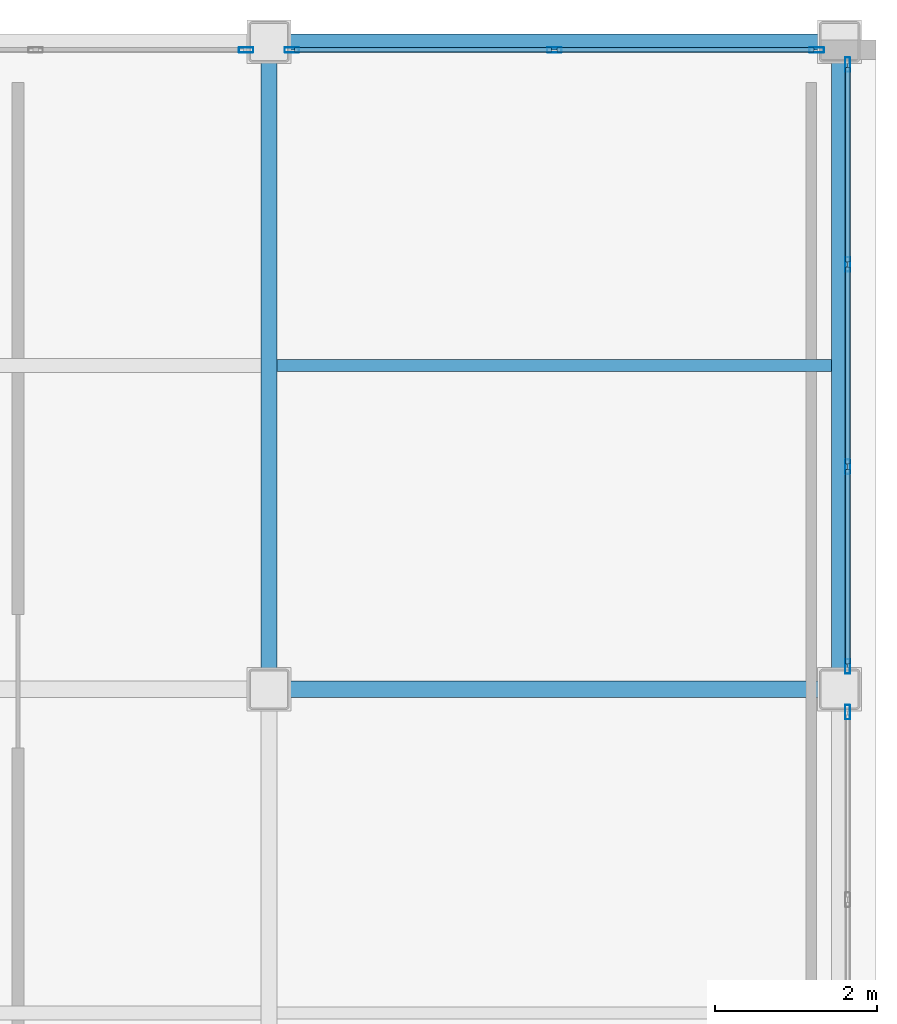
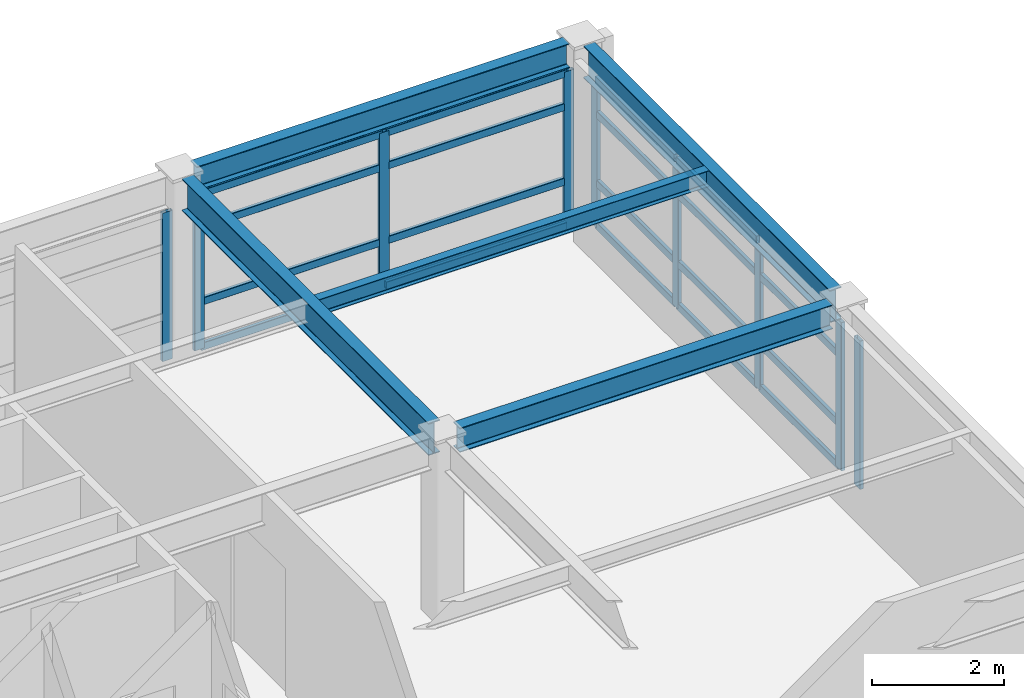
# One storey, part 20 of 33: 29 members, 5 beams, 4 elements without a shape of their own.
"""IFC4 building model written with IfcOpenShell, lengths in metres."""

import ifcopenshell
import ifcopenshell.guid

model = None  # the IFC model being written
_history = None  # IfcOwnerHistory: only IFC2X3 demands one
_inside = {}  # id of a spatial element -> (the spatial element, [elements in it])
_under = {}  # id of a project, library or spatial element -> (it, [spatial elements below it])
_declared = {}  # id of a project -> (the project, [libraries it declares])
_typed = {}  # id of a type object -> (the type object, [elements of that type])
_made_of = {}  # id of a material, layer set ... -> (it, [elements and type objects made of it])


def new_model(schema):
    """Start an empty IFC model of exactly this schema.

    Asked for "IFC4X3", IfcOpenShell would pick the latest addendum, in which some entities
    have other attributes; the version numbers below select the first issue.
    IFC2X3 requires an IfcOwnerHistory on every rooted entity: one is made here for all.
    """
    global model, _history
    if schema == "IFC4X3":
        model = ifcopenshell.file(schema_version=(4, 3, 0, 0))
    else:
        model = ifcopenshell.file(schema=schema)
    _inside.clear()
    _under.clear()
    _declared.clear()
    _typed.clear()
    _made_of.clear()
    _history = None
    if model.schema == "IFC2X3":
        org = make("IfcOrganization", Name="unknown")
        user = make(
            "IfcPersonAndOrganization",
            ThePerson=make("IfcPerson", FamilyName="unknown"),
            TheOrganization=org,
        )
        app = make(
            "IfcApplication",
            ApplicationDeveloper=org,
            Version="unknown",
            ApplicationFullName="unknown",
            ApplicationIdentifier="unknown",
        )
        _history = make(
            "IfcOwnerHistory",
            OwningUser=user,
            OwningApplication=app,
            ChangeAction="ADDED",
            CreationDate=0,
        )
    return model


def make(cls, **values):
    """One entity of the class cls with the attributes given. An attribute that is None is left unset."""
    return model.create_entity(
        cls, **{name: value for name, value in values.items() if value is not None}
    )


def rooted(cls, **values):
    """An entity with a GlobalId (a new one), such as an element, a storey or a relation."""
    return make(cls, GlobalId=ifcopenshell.guid.new(), OwnerHistory=_history, **values)


def si_unit(unit_type, name, prefix=None):
    """IfcSIUnit, for example si_unit("LENGTHUNIT", "METRE", prefix="MILLI")."""
    return make("IfcSIUnit", UnitType=unit_type, Prefix=prefix, Name=name)


def assignment(units):
    """IfcUnitAssignment: the units of a project."""
    return None if units is None else make("IfcUnitAssignment", Units=units)


def point(xyz):
    """IfcCartesianPoint."""
    return None if xyz is None else make("IfcCartesianPoint", Coordinates=xyz)


def direction(xyz):
    """IfcDirection."""
    return None if xyz is None else make("IfcDirection", DirectionRatios=xyz)


def frame(location, z_axis=None, x_axis=None):
    """IfcAxis2Placement3D, a coordinate frame: its origin and axes. An axis left out is left unset."""
    return make(
        "IfcAxis2Placement3D",
        Location=point(location),
        Axis=direction(z_axis),
        RefDirection=direction(x_axis),
    )


def frame_2d(location, x_axis=None):
    """IfcAxis2Placement2D, a coordinate frame in the plane: its origin and x axis."""
    return make(
        "IfcAxis2Placement2D", Location=point(location), RefDirection=direction(x_axis)
    )


def origin():
    """The frame at (0, 0, 0) with its axes left unset."""
    return frame((0.0, 0.0, 0.0))


def origin_2d():
    """The frame at (0, 0) in the plane with its x axis left unset."""
    return frame_2d((0.0, 0.0))


def place(relative_to, where):
    """IfcLocalPlacement: puts the frame where relative to a parent placement (None: the world)."""
    return make(
        "IfcLocalPlacement", PlacementRelTo=relative_to, RelativePlacement=where
    )


def context(
    kind, dimensions, precision=None, world=None, true_north=None, identifier=None
):
    """IfcGeometricRepresentationContext, for example the 3D "Model" context."""
    return make(
        "IfcGeometricRepresentationContext",
        ContextIdentifier=identifier,
        ContextType=kind,
        CoordinateSpaceDimension=dimensions,
        Precision=precision,
        WorldCoordinateSystem=world,
        TrueNorth=true_north,
    )


def subcontext(parent, identifier, kind, view, scale=None):
    """IfcGeometricRepresentationSubContext, for example "Body" below "Model"."""
    return make(
        "IfcGeometricRepresentationSubContext",
        ContextIdentifier=identifier,
        ContextType=kind,
        ParentContext=parent,
        TargetScale=scale,
        TargetView=view,
    )


def project(units=None, contexts=None):
    """IfcProject with its units and contexts."""
    return rooted(
        "IfcProject",
        Name="project",
        RepresentationContexts=contexts,
        UnitsInContext=assignment(units),
    )


def spatial(cls, under=None, at=None, **own):
    """A site, building, storey or space (cls), placed at a placement, below another one or the project."""
    s = rooted(cls, ObjectPlacement=at, **own)
    if under is not None:
        _under.setdefault(under.id(), (under, []))[1].append(s)
    return s


def profile(cls, at=None, kind="AREA", **sizes):
    """A parametric profile (cls). Its sizes go by their IFC names, for example OverallWidth=200.0."""
    return make(cls, ProfileType=kind, Position=at, **sizes)


def hollow_rectangle(**sizes):
    """IfcRectangleHollowProfileDef."""
    return profile("IfcRectangleHollowProfileDef", **sizes)


def i_section(**sizes):
    """IfcIShapeProfileDef."""
    return profile("IfcIShapeProfileDef", **sizes)


def extrude(swept, where, along, depth):
    """IfcExtrudedAreaSolid: the profile swept, set in the frame where, extruded along a direction by depth."""
    return make(
        "IfcExtrudedAreaSolid",
        SweptArea=swept,
        Position=where,
        ExtrudedDirection=direction(along),
        Depth=depth,
    )


def shape(context_of_items, identifier, shape_type, items):
    """IfcShapeRepresentation: the items that make up one representation, for example the "Body"."""
    return make(
        "IfcShapeRepresentation",
        ContextOfItems=context_of_items,
        RepresentationIdentifier=identifier,
        RepresentationType=shape_type,
        Items=items,
    )


def material(Name=None, Category=None):
    """IfcMaterial."""
    return make("IfcMaterial", Name=Name, Category=Category)


def layer(
    of_material, thickness, ventilated=None, Name=None, Category=None, Priority=None
):
    """IfcMaterialLayer: one layer of a wall or slab, of a material (None: an air gap)."""
    return make(
        "IfcMaterialLayer",
        Material=of_material,
        LayerThickness=thickness,
        IsVentilated=ventilated,
        Name=Name,
        Category=Category,
        Priority=Priority,
    )


def layer_set(layers, Name=None):
    """IfcMaterialLayerSet."""
    return make("IfcMaterialLayerSet", MaterialLayers=layers, LayerSetName=Name)


def material_profile(
    of_material, cross_section, Name=None, Category=None, Priority=None
):
    """IfcMaterialProfile: a cross section and its material."""
    return make(
        "IfcMaterialProfile",
        Name=Name,
        Material=of_material,
        Profile=cross_section,
        Priority=Priority,
        Category=Category,
    )


def profile_set(profiles, Name=None, composite=None):
    """IfcMaterialProfileSet."""
    return make(
        "IfcMaterialProfileSet",
        Name=Name,
        MaterialProfiles=profiles,
        CompositeProfile=composite,
    )


def made_of(thing, what):
    """Note that an element or type object is made of a material, layer set ...; save() writes the relation."""
    if what is not None:
        _made_of.setdefault(what.id(), (what, []))[1].append(thing)
    return thing


def type_object(cls, material=None, **own):
    """A type object (cls), such as IfcWallType, which elements share."""
    return made_of(rooted(cls, **own), material)


def element(
    cls,
    number,
    at=None,
    inside=None,
    cuts=None,
    type_object=None,
    material=None,
    context=None,
    identifier="Body",
    shape_type=None,
    held_by="IfcProductDefinitionShape",
    body=None,
    shapes=None,
    **own,
):
    """One element of the class cls, such as IfcWall. Its Tag is "e" and its number.

    at: its placement. inside: the storey or other place that contains it. cuts: it is an
    opening in that element (IfcRelVoidsElement). A single representation is given by context,
    identifier, shape_type and body (its items); several are given by shapes. held_by: the class
    of the entity that holds the representations. save() writes the other relations.
    """
    e = rooted(cls, Tag="e%d" % number, ObjectPlacement=at, **own)
    if body is not None:
        shapes = [shape(context, identifier, shape_type, body)]
    if shapes is not None:
        e.Representation = make(held_by, Representations=shapes)
    if inside is not None:
        _inside.setdefault(inside.id(), (inside, []))[1].append(e)
    if cuts is not None:
        rooted(
            "IfcRelVoidsElement", RelatingBuildingElement=cuts, RelatedOpeningElement=e
        )
    if type_object is not None:
        _typed.setdefault(type_object.id(), (type_object, []))[1].append(e)
    return made_of(e, material)


def aggregate(whole, parts):
    """IfcRelAggregates: a whole, such as a stair, and the parts it consists of."""
    return rooted("IfcRelAggregates", RelatingObject=whole, RelatedObjects=parts)


def save(model, path):
    """Write the relations noted so far, then the file.

    IfcRelAggregates (storeys below a building ...), IfcRelContainedInSpatialStructure (elements
    in a storey), IfcRelDefinesByType, IfcRelAssociatesMaterial and IfcRelDeclares: one each for
    every whole, place, type object, material and project.
    """
    for whole, parts in _under.values():
        aggregate(whole, parts)
    for where, things in _inside.values():
        rooted(
            "IfcRelContainedInSpatialStructure",
            RelatedElements=things,
            RelatingStructure=where,
        )
    for kind, things in _typed.values():
        rooted("IfcRelDefinesByType", RelatedObjects=things, RelatingType=kind)
    for what, things in _made_of.values():
        rooted("IfcRelAssociatesMaterial", RelatedObjects=things, RelatingMaterial=what)
    for by, libraries in _declared.values():
        rooted("IfcRelDeclares", RelatingContext=by, RelatedDefinitions=libraries)
    model.write(path)


model = new_model("IFC4")

# Units and contexts
model_context = context("Model", 3, precision=1e-05, world=origin(), true_north=direction((0.0, 1.0)))
body_context = subcontext(model_context, "Body", "Model", "MODEL_VIEW")
ifc_project = project(units=[si_unit("LENGTHUNIT", "METRE"), si_unit("AREAUNIT", "SQUARE_METRE"), si_unit("VOLUMEUNIT", "CUBIC_METRE"), si_unit("PLANEANGLEUNIT", "RADIAN"), si_unit("MASSUNIT", "GRAM", prefix="KILO")], contexts=[model_context])

# Site, building, storey
site_placement = place(None, origin())
site = spatial("IfcSite", under=ifc_project, at=site_placement, CompositionType="ELEMENT")
building_placement = place(site_placement, origin())
building = spatial("IfcBuilding", under=site, at=building_placement, Name="Kazehara Bluff Congress Hotel", CompositionType="ELEMENT")
storey_placement = place(building_placement, frame((0.0, 0.0, 39.0)))
storey = spatial("IfcBuildingStorey", under=building, at=storey_placement, Name="L09", CompositionType="ELEMENT", Elevation=39.0)

# Curtain wall, member
ifc_material_1 = material(Name="Anodised aluminium", Category="aluminium")
ifc_layer_1 = layer(ifc_material_1, 0.159912109375)
ifc_layer_set_1 = layer_set([ifc_layer_1], Name="Anodised aluminium")
curtain_wall_type_1 = type_object("IfcCurtainWallType", Name="TP-CW-194", PredefinedType="NOTDEFINED", material=ifc_layer_set_1)
curtain_wall_1_placement = place(storey_placement, origin())
curtain_wall_1 = element("IfcCurtainWall", 1, at=curtain_wall_1_placement, inside=storey, type_object=curtain_wall_type_1, Name="L09 curtain wall CW-194 CW-ENC-V5-L09-16765-8512", PredefinedType="NOTDEFINED")
ifc_material_2 = material(Name="Anodised aluminium", Category="aluminium")
ifc_material_profile_1 = material_profile(ifc_material_2, hollow_rectangle(XDim=0.06494140625, YDim=0.179931640625, WallThickness=0.00390625, InnerFilletRadius=0.00390625, OuterFilletRadius=0.008056640625, at=origin_2d()))
ifc_profile_set_1 = profile_set([ifc_material_profile_1], Name="Anodised aluminium")
member_type_1 = type_object("IfcMemberType", Name="TP-CWM-02", PredefinedType="MULLION", material=ifc_profile_set_1)
member_1_placement = place(storey_placement, frame((167.64990234375, 88.617431640625, 0.0), z_axis=(0.0, 0.0, 1.0), x_axis=(1.0, 0.0, 0.0)))
member_1 = element("IfcMember", 2, at=member_1_placement, type_object=member_type_1, Name="CW-194 mullion 1", PredefinedType="MULLION", context=body_context, shape_type="SweptSolid", body=[
    extrude(hollow_rectangle(XDim=0.06494140625, YDim=0.179931640625, WallThickness=0.00390625, InnerFilletRadius=0.00390625, OuterFilletRadius=0.008056640625, at=origin_2d()), origin(), (0.0, 0.0, 1.0), 2.7548828125),
])
aggregate(curtain_wall_1, [member_1])

# Curtain wall, members
ifc_material_3 = material(Name="Anodised aluminium", Category="aluminium")
ifc_layer_2 = layer(ifc_material_3, 0.159912109375)
ifc_layer_set_2 = layer_set([ifc_layer_2], Name="Anodised aluminium")
curtain_wall_type_2 = type_object("IfcCurtainWallType", Name="TP-CW-195", PredefinedType="NOTDEFINED", material=ifc_layer_set_2)
curtain_wall_2_placement = place(storey_placement, origin())
curtain_wall_2 = element("IfcCurtainWall", 3, at=curtain_wall_2_placement, inside=storey, type_object=curtain_wall_type_2, Name="L09 curtain wall CW-195 CW-ENC-V5-L09-16765-9290", PredefinedType="NOTDEFINED")
member_2_placement = place(storey_placement, frame((167.64990234375, 96.617431640625, 0.0), z_axis=(0.0, 0.0, 1.0), x_axis=(1.0, 0.0, 0.0)))
member_2 = element("IfcMember", 4, at=member_2_placement, type_object=member_type_1, Name="CW-195 mullion 1", PredefinedType="MULLION", context=body_context, shape_type="SweptSolid", body=[
    extrude(hollow_rectangle(XDim=0.06494140625, YDim=0.179931640625, WallThickness=0.00390625, InnerFilletRadius=0.00390625, OuterFilletRadius=0.008056640625, at=origin_2d()), origin(), (0.0, 0.0, 1.0), 2.7548828125),
])
member_3_placement = place(storey_placement, frame((167.64990234375, 94.14990234375, 0.0), z_axis=(0.0, 0.0, 1.0), x_axis=(1.0, 0.0, 0.0)))
member_3 = element("IfcMember", 5, at=member_3_placement, type_object=member_type_1, Name="CW-195 mullion 2", PredefinedType="MULLION", context=body_context, shape_type="SweptSolid", body=[
    extrude(hollow_rectangle(XDim=0.06494140625, YDim=0.179931640625, WallThickness=0.00390625, InnerFilletRadius=0.00390625, OuterFilletRadius=0.008056640625, at=origin_2d()), origin(), (0.0, 0.0, 1.0), 2.7548828125),
])
member_4_placement = place(storey_placement, frame((167.64990234375, 91.64990234375, 0.0), z_axis=(0.0, 0.0, 1.0), x_axis=(1.0, 0.0, 0.0)))
member_4 = element("IfcMember", 6, at=member_4_placement, type_object=member_type_1, Name="CW-195 mullion 3", PredefinedType="MULLION", context=body_context, shape_type="SweptSolid", body=[
    extrude(hollow_rectangle(XDim=0.06494140625, YDim=0.179931640625, WallThickness=0.00390625, InnerFilletRadius=0.00390625, OuterFilletRadius=0.008056640625, at=origin_2d()), origin(), (0.0, 0.0, 1.0), 2.7548828125),
])
member_5_placement = place(storey_placement, frame((167.64990234375, 89.1826171875, 0.0), z_axis=(0.0, 0.0, 1.0), x_axis=(1.0, 0.0, 0.0)))
member_5 = element("IfcMember", 7, at=member_5_placement, type_object=member_type_1, Name="CW-195 mullion 4", PredefinedType="MULLION", context=body_context, shape_type="SweptSolid", body=[
    extrude(hollow_rectangle(XDim=0.06494140625, YDim=0.179931640625, WallThickness=0.00390625, InnerFilletRadius=0.00390625, OuterFilletRadius=0.008056640625, at=origin_2d()), origin(), (0.0, 0.0, 1.0), 2.7548828125),
])

# Curtain wall, member
ifc_material_4 = material(Name="Anodised aluminium", Category="aluminium")
ifc_layer_3 = layer(ifc_material_4, 0.159912109375)
ifc_layer_set_3 = layer_set([ifc_layer_3], Name="Anodised aluminium")
curtain_wall_type_3 = type_object("IfcCurtainWallType", Name="TP-CW-185", PredefinedType="NOTDEFINED", material=ifc_layer_set_3)
curtain_wall_3_placement = place(storey_placement, origin())
curtain_wall_3 = element("IfcCurtainWall", 8, at=curtain_wall_3_placement, inside=storey, type_object=curtain_wall_type_3, Name="L09 curtain wall CW-185 CW-ENC-V5-L09-15630-9680", PredefinedType="NOTDEFINED")
member_6_placement = place(storey_placement, frame((160.217529296875, 96.800048828125, 0.0), z_axis=(0.0, 0.0, 1.0), x_axis=(0.0, 1.0, 0.0)))
member_6 = element("IfcMember", 9, at=member_6_placement, type_object=member_type_1, Name="CW-185 mullion 4", PredefinedType="MULLION", context=body_context, shape_type="SweptSolid", body=[
    extrude(hollow_rectangle(XDim=0.06494140625, YDim=0.179931640625, WallThickness=0.00390625, InnerFilletRadius=0.00390625, OuterFilletRadius=0.008056640625, at=origin_2d()), origin(), (0.0, 0.0, 1.0), 2.7548828125),
])
aggregate(curtain_wall_3, [member_6])

# Curtain wall, members
ifc_material_5 = material(Name="Anodised aluminium", Category="aluminium")
ifc_layer_4 = layer(ifc_material_5, 0.159912109375)
ifc_layer_set_4 = layer_set([ifc_layer_4], Name="Anodised aluminium")
curtain_wall_type_4 = type_object("IfcCurtainWallType", Name="TP-CW-193", PredefinedType="NOTDEFINED", material=ifc_layer_set_4)
curtain_wall_4_placement = place(storey_placement, origin())
curtain_wall_4 = element("IfcCurtainWall", 10, at=curtain_wall_4_placement, inside=storey, type_object=curtain_wall_type_4, Name="L09 curtain wall CW-193 CW-ENC-V5-L09-16402-9680", PredefinedType="NOTDEFINED")
member_7_placement = place(storey_placement, frame((160.782470703125, 96.800048828125, 0.0), z_axis=(0.0, 0.0, 1.0), x_axis=(0.0, 1.0, 0.0)))
member_7 = element("IfcMember", 11, at=member_7_placement, type_object=member_type_1, Name="CW-193 mullion 1", PredefinedType="MULLION", context=body_context, shape_type="SweptSolid", body=[
    extrude(hollow_rectangle(XDim=0.06494140625, YDim=0.179931640625, WallThickness=0.00390625, InnerFilletRadius=0.00390625, OuterFilletRadius=0.008056640625, at=origin_2d()), origin(), (0.0, 0.0, 1.0), 2.905029296875),
])
member_8_placement = place(storey_placement, frame((164.02490234375, 96.800048828125, 0.0), z_axis=(0.0, 0.0, 1.0), x_axis=(0.0, 1.0, 0.0)))
member_8 = element("IfcMember", 12, at=member_8_placement, type_object=member_type_1, Name="CW-193 mullion 2", PredefinedType="MULLION", context=body_context, shape_type="SweptSolid", body=[
    extrude(hollow_rectangle(XDim=0.06494140625, YDim=0.179931640625, WallThickness=0.00390625, InnerFilletRadius=0.00390625, OuterFilletRadius=0.008056640625, at=origin_2d()), origin(), (0.0, 0.0, 1.0), 2.905029296875),
])
member_9_placement = place(storey_placement, frame((167.267578125, 96.800048828125, 0.0), z_axis=(0.0, 0.0, 1.0), x_axis=(0.0, 1.0, 0.0)))
member_9 = element("IfcMember", 13, at=member_9_placement, type_object=member_type_1, Name="CW-193 mullion 3", PredefinedType="MULLION", context=body_context, shape_type="SweptSolid", body=[
    extrude(hollow_rectangle(XDim=0.06494140625, YDim=0.179931640625, WallThickness=0.00390625, InnerFilletRadius=0.00390625, OuterFilletRadius=0.008056640625, at=origin_2d()), origin(), (0.0, 0.0, 1.0), 2.905029296875),
])

# Member
ifc_material_6 = material(Name="Anodised aluminium", Category="aluminium")
ifc_material_profile_2 = material_profile(ifc_material_6, hollow_rectangle(XDim=0.06494140625, YDim=0.139892578125, WallThickness=0.00390625, InnerFilletRadius=0.00390625, OuterFilletRadius=0.008056640625, at=origin_2d()))
ifc_profile_set_2 = profile_set([ifc_material_profile_2], Name="Anodised aluminium")
member_type_2 = type_object("IfcMemberType", Name="TP-CWT-02", PredefinedType="USERDEFINED", material=ifc_profile_set_2)
member_10_placement = place(storey_placement, frame((167.64990234375, 96.5849609375, 0.032470703125), z_axis=(0.0, -1.0, 0.0), x_axis=(1.0, 0.0, 0.0)))
member_10 = element("IfcMember", 14, at=member_10_placement, type_object=member_type_2, Name="CW-195 transom 1.1", ObjectType="TRANSOM", PredefinedType="USERDEFINED", context=body_context, shape_type="SweptSolid", body=[
    extrude(hollow_rectangle(XDim=0.06494140625, YDim=0.139892578125, WallThickness=0.00390625, InnerFilletRadius=0.00390625, OuterFilletRadius=0.008056640625, at=origin_2d()), origin(), (0.0, 0.0, 1.0), 2.40234375),
])

member_11_placement = place(storey_placement, frame((167.64990234375, 96.5849609375, 0.824951171875), z_axis=(0.0, -1.0, 0.0), x_axis=(1.0, 0.0, 0.0)))
member_11 = element("IfcMember", 15, at=member_11_placement, type_object=member_type_2, Name="CW-195 transom 1.2", ObjectType="TRANSOM", PredefinedType="USERDEFINED", context=body_context, shape_type="SweptSolid", body=[
    extrude(hollow_rectangle(XDim=0.06494140625, YDim=0.139892578125, WallThickness=0.00390625, InnerFilletRadius=0.00390625, OuterFilletRadius=0.008056640625, at=origin_2d()), origin(), (0.0, 0.0, 1.0), 2.40234375),
])

member_12_placement = place(storey_placement, frame((167.64990234375, 96.5849609375, 2.10498046875), z_axis=(0.0, -1.0, 0.0), x_axis=(1.0, 0.0, 0.0)))
member_12 = element("IfcMember", 16, at=member_12_placement, type_object=member_type_2, Name="CW-195 transom 1.3", ObjectType="TRANSOM", PredefinedType="USERDEFINED", context=body_context, shape_type="SweptSolid", body=[
    extrude(hollow_rectangle(XDim=0.06494140625, YDim=0.139892578125, WallThickness=0.00390625, InnerFilletRadius=0.00390625, OuterFilletRadius=0.008056640625, at=origin_2d()), origin(), (0.0, 0.0, 1.0), 2.40234375),
])

member_13_placement = place(storey_placement, frame((167.64990234375, 96.5849609375, 2.722412109375), z_axis=(0.0, -1.0, 0.0), x_axis=(1.0, 0.0, 0.0)))
member_13 = element("IfcMember", 17, at=member_13_placement, type_object=member_type_2, Name="CW-195 transom 1.4", ObjectType="TRANSOM", PredefinedType="USERDEFINED", context=body_context, shape_type="SweptSolid", body=[
    extrude(hollow_rectangle(XDim=0.06494140625, YDim=0.139892578125, WallThickness=0.00390625, InnerFilletRadius=0.00390625, OuterFilletRadius=0.008056640625, at=origin_2d()), origin(), (0.0, 0.0, 1.0), 2.40234375),
])

member_14_placement = place(storey_placement, frame((167.64990234375, 94.117431640625, 0.032470703125), z_axis=(0.0, -1.0, 0.0), x_axis=(1.0, 0.0, 0.0)))
member_14 = element("IfcMember", 18, at=member_14_placement, type_object=member_type_2, Name="CW-195 transom 2.1", ObjectType="TRANSOM", PredefinedType="USERDEFINED", context=body_context, shape_type="SweptSolid", body=[
    extrude(hollow_rectangle(XDim=0.06494140625, YDim=0.139892578125, WallThickness=0.00390625, InnerFilletRadius=0.00390625, OuterFilletRadius=0.008056640625, at=origin_2d()), origin(), (0.0, 0.0, 1.0), 2.434814453125),
])

member_15_placement = place(storey_placement, frame((167.64990234375, 94.117431640625, 0.824951171875), z_axis=(0.0, -1.0, 0.0), x_axis=(1.0, 0.0, 0.0)))
member_15 = element("IfcMember", 19, at=member_15_placement, type_object=member_type_2, Name="CW-195 transom 2.2", ObjectType="TRANSOM", PredefinedType="USERDEFINED", context=body_context, shape_type="SweptSolid", body=[
    extrude(hollow_rectangle(XDim=0.06494140625, YDim=0.139892578125, WallThickness=0.00390625, InnerFilletRadius=0.00390625, OuterFilletRadius=0.008056640625, at=origin_2d()), origin(), (0.0, 0.0, 1.0), 2.434814453125),
])

member_16_placement = place(storey_placement, frame((167.64990234375, 94.117431640625, 2.10498046875), z_axis=(0.0, -1.0, 0.0), x_axis=(1.0, 0.0, 0.0)))
member_16 = element("IfcMember", 20, at=member_16_placement, type_object=member_type_2, Name="CW-195 transom 2.3", ObjectType="TRANSOM", PredefinedType="USERDEFINED", context=body_context, shape_type="SweptSolid", body=[
    extrude(hollow_rectangle(XDim=0.06494140625, YDim=0.139892578125, WallThickness=0.00390625, InnerFilletRadius=0.00390625, OuterFilletRadius=0.008056640625, at=origin_2d()), origin(), (0.0, 0.0, 1.0), 2.434814453125),
])

member_17_placement = place(storey_placement, frame((167.64990234375, 94.117431640625, 2.722412109375), z_axis=(0.0, -1.0, 0.0), x_axis=(1.0, 0.0, 0.0)))
member_17 = element("IfcMember", 21, at=member_17_placement, type_object=member_type_2, Name="CW-195 transom 2.4", ObjectType="TRANSOM", PredefinedType="USERDEFINED", context=body_context, shape_type="SweptSolid", body=[
    extrude(hollow_rectangle(XDim=0.06494140625, YDim=0.139892578125, WallThickness=0.00390625, InnerFilletRadius=0.00390625, OuterFilletRadius=0.008056640625, at=origin_2d()), origin(), (0.0, 0.0, 1.0), 2.434814453125),
])

member_18_placement = place(storey_placement, frame((167.64990234375, 91.617431640625, 0.032470703125), z_axis=(0.0, -1.0, 0.0), x_axis=(1.0, 0.0, 0.0)))
member_18 = element("IfcMember", 22, at=member_18_placement, type_object=member_type_2, Name="CW-195 transom 3.1", ObjectType="TRANSOM", PredefinedType="USERDEFINED", context=body_context, shape_type="SweptSolid", body=[
    extrude(hollow_rectangle(XDim=0.06494140625, YDim=0.139892578125, WallThickness=0.00390625, InnerFilletRadius=0.00390625, OuterFilletRadius=0.008056640625, at=origin_2d()), origin(), (0.0, 0.0, 1.0), 2.40234375),
])

member_19_placement = place(storey_placement, frame((167.64990234375, 91.617431640625, 0.824951171875), z_axis=(0.0, -1.0, 0.0), x_axis=(1.0, 0.0, 0.0)))
member_19 = element("IfcMember", 23, at=member_19_placement, type_object=member_type_2, Name="CW-195 transom 3.2", ObjectType="TRANSOM", PredefinedType="USERDEFINED", context=body_context, shape_type="SweptSolid", body=[
    extrude(hollow_rectangle(XDim=0.06494140625, YDim=0.139892578125, WallThickness=0.00390625, InnerFilletRadius=0.00390625, OuterFilletRadius=0.008056640625, at=origin_2d()), origin(), (0.0, 0.0, 1.0), 2.40234375),
])

member_20_placement = place(storey_placement, frame((167.64990234375, 91.617431640625, 2.10498046875), z_axis=(0.0, -1.0, 0.0), x_axis=(1.0, 0.0, 0.0)))
member_20 = element("IfcMember", 24, at=member_20_placement, type_object=member_type_2, Name="CW-195 transom 3.3", ObjectType="TRANSOM", PredefinedType="USERDEFINED", context=body_context, shape_type="SweptSolid", body=[
    extrude(hollow_rectangle(XDim=0.06494140625, YDim=0.139892578125, WallThickness=0.00390625, InnerFilletRadius=0.00390625, OuterFilletRadius=0.008056640625, at=origin_2d()), origin(), (0.0, 0.0, 1.0), 2.40234375),
])

member_21_placement = place(storey_placement, frame((167.64990234375, 91.617431640625, 2.722412109375), z_axis=(0.0, -1.0, 0.0), x_axis=(1.0, 0.0, 0.0)))
member_21 = element("IfcMember", 25, at=member_21_placement, type_object=member_type_2, Name="CW-195 transom 3.4", ObjectType="TRANSOM", PredefinedType="USERDEFINED", context=body_context, shape_type="SweptSolid", body=[
    extrude(hollow_rectangle(XDim=0.06494140625, YDim=0.139892578125, WallThickness=0.00390625, InnerFilletRadius=0.00390625, OuterFilletRadius=0.008056640625, at=origin_2d()), origin(), (0.0, 0.0, 1.0), 2.40234375),
])

aggregate(curtain_wall_2, [member_2, member_3, member_4, member_5, member_10, member_11, member_12, member_13, member_14, member_15, member_16, member_17, member_18, member_19, member_20, member_21])

member_22_placement = place(storey_placement, frame((160.81494140625, 96.800048828125, 0.032470703125), z_axis=(1.0, 0.0, 0.0), x_axis=(0.0, 1.0, 0.0)))
member_22 = element("IfcMember", 26, at=member_22_placement, type_object=member_type_2, Name="CW-193 transom 1.1", ObjectType="TRANSOM", PredefinedType="USERDEFINED", context=body_context, shape_type="SweptSolid", body=[
    extrude(hollow_rectangle(XDim=0.06494140625, YDim=0.139892578125, WallThickness=0.00390625, InnerFilletRadius=0.00390625, OuterFilletRadius=0.008056640625, at=origin_2d()), origin(), (0.0, 0.0, 1.0), 3.177490234375),
])

member_23_placement = place(storey_placement, frame((160.81494140625, 96.800048828125, 0.8701171875), z_axis=(1.0, 0.0, 0.0), x_axis=(0.0, 1.0, 0.0)))
member_23 = element("IfcMember", 27, at=member_23_placement, type_object=member_type_2, Name="CW-193 transom 1.2", ObjectType="TRANSOM", PredefinedType="USERDEFINED", context=body_context, shape_type="SweptSolid", body=[
    extrude(hollow_rectangle(XDim=0.06494140625, YDim=0.139892578125, WallThickness=0.00390625, InnerFilletRadius=0.00390625, OuterFilletRadius=0.008056640625, at=origin_2d()), origin(), (0.0, 0.0, 1.0), 3.177490234375),
])

member_24_placement = place(storey_placement, frame((160.81494140625, 96.800048828125, 2.2548828125), z_axis=(1.0, 0.0, 0.0), x_axis=(0.0, 1.0, 0.0)))
member_24 = element("IfcMember", 28, at=member_24_placement, type_object=member_type_2, Name="CW-193 transom 1.3", ObjectType="TRANSOM", PredefinedType="USERDEFINED", context=body_context, shape_type="SweptSolid", body=[
    extrude(hollow_rectangle(XDim=0.06494140625, YDim=0.139892578125, WallThickness=0.00390625, InnerFilletRadius=0.00390625, OuterFilletRadius=0.008056640625, at=origin_2d()), origin(), (0.0, 0.0, 1.0), 3.177490234375),
])

member_25_placement = place(storey_placement, frame((160.81494140625, 96.800048828125, 2.87255859375), z_axis=(1.0, 0.0, 0.0), x_axis=(0.0, 1.0, 0.0)))
member_25 = element("IfcMember", 29, at=member_25_placement, type_object=member_type_2, Name="CW-193 transom 1.4", ObjectType="TRANSOM", PredefinedType="USERDEFINED", context=body_context, shape_type="SweptSolid", body=[
    extrude(hollow_rectangle(XDim=0.06494140625, YDim=0.139892578125, WallThickness=0.00390625, InnerFilletRadius=0.00390625, OuterFilletRadius=0.008056640625, at=origin_2d()), origin(), (0.0, 0.0, 1.0), 3.177490234375),
])

member_26_placement = place(storey_placement, frame((164.0576171875, 96.800048828125, 0.032470703125), z_axis=(1.0, 0.0, 0.0), x_axis=(0.0, 1.0, 0.0)))
member_26 = element("IfcMember", 30, at=member_26_placement, type_object=member_type_2, Name="CW-193 transom 2.1", ObjectType="TRANSOM", PredefinedType="USERDEFINED", context=body_context, shape_type="SweptSolid", body=[
    extrude(hollow_rectangle(XDim=0.06494140625, YDim=0.139892578125, WallThickness=0.00390625, InnerFilletRadius=0.00390625, OuterFilletRadius=0.008056640625, at=origin_2d()), origin(), (0.0, 0.0, 1.0), 3.177490234375),
])

member_27_placement = place(storey_placement, frame((164.0576171875, 96.800048828125, 0.8701171875), z_axis=(1.0, 0.0, 0.0), x_axis=(0.0, 1.0, 0.0)))
member_27 = element("IfcMember", 31, at=member_27_placement, type_object=member_type_2, Name="CW-193 transom 2.2", ObjectType="TRANSOM", PredefinedType="USERDEFINED", context=body_context, shape_type="SweptSolid", body=[
    extrude(hollow_rectangle(XDim=0.06494140625, YDim=0.139892578125, WallThickness=0.00390625, InnerFilletRadius=0.00390625, OuterFilletRadius=0.008056640625, at=origin_2d()), origin(), (0.0, 0.0, 1.0), 3.177490234375),
])

member_28_placement = place(storey_placement, frame((164.0576171875, 96.800048828125, 2.2548828125), z_axis=(1.0, 0.0, 0.0), x_axis=(0.0, 1.0, 0.0)))
member_28 = element("IfcMember", 32, at=member_28_placement, type_object=member_type_2, Name="CW-193 transom 2.3", ObjectType="TRANSOM", PredefinedType="USERDEFINED", context=body_context, shape_type="SweptSolid", body=[
    extrude(hollow_rectangle(XDim=0.06494140625, YDim=0.139892578125, WallThickness=0.00390625, InnerFilletRadius=0.00390625, OuterFilletRadius=0.008056640625, at=origin_2d()), origin(), (0.0, 0.0, 1.0), 3.177490234375),
])

member_29_placement = place(storey_placement, frame((164.0576171875, 96.800048828125, 2.87255859375), z_axis=(1.0, 0.0, 0.0), x_axis=(0.0, 1.0, 0.0)))
member_29 = element("IfcMember", 33, at=member_29_placement, type_object=member_type_2, Name="CW-193 transom 2.4", ObjectType="TRANSOM", PredefinedType="USERDEFINED", context=body_context, shape_type="SweptSolid", body=[
    extrude(hollow_rectangle(XDim=0.06494140625, YDim=0.139892578125, WallThickness=0.00390625, InnerFilletRadius=0.00390625, OuterFilletRadius=0.008056640625, at=origin_2d()), origin(), (0.0, 0.0, 1.0), 3.177490234375),
])

aggregate(curtain_wall_4, [member_7, member_8, member_9, member_22, member_23, member_24, member_25, member_26, member_27, member_28, member_29])

# Beams
ifc_material_7 = material(Name="Steel SN490B", Category="steel")
ifc_material_profile_3 = material_profile(ifc_material_7, i_section(OverallWidth=0.199951171875, OverallDepth=0.60009765625, WebThickness=0.010986328125, FlangeThickness=0.01708984375, FilletRadius=0.012939453125, at=origin_2d()))
ifc_profile_set_3 = profile_set([ifc_material_profile_3], Name="Steel SN490B")
beam_type_1 = type_object("IfcBeamType", Name="TP-G-02", PredefinedType="BEAM", material=ifc_profile_set_3)
for number, where, z_axis, x_axis, name in (
    (34, (160.5, 89.14990234375, 3.080078125), (0.0, 1.0, 0.0), (-1.0, 0.0, 0.0), "L09 girder G-02 27"),
    (35, (167.550048828125, 89.14990234375, 3.080078125), (0.0, 1.0, 0.0), (-1.0, 0.0, 0.0), "L09 girder G-02 35"),
):
    element("IfcBeam", number, at=place(storey_placement, frame(where, z_axis=z_axis, x_axis=x_axis)), inside=storey, type_object=beam_type_1, Name=name, PredefinedType="BEAM", context=body_context, shape_type="SweptSolid", body=[
        extrude(i_section(OverallWidth=0.199951171875, OverallDepth=0.60009765625, WebThickness=0.010986328125, FlangeThickness=0.01708984375, FilletRadius=0.012939453125, at=origin_2d()), origin(), (0.0, 0.0, 1.0), 7.5),
    ])
ifc_material_8 = material(Name="Steel SN490B", Category="steel")
ifc_material_profile_4 = material_profile(ifc_material_8, i_section(OverallWidth=0.199951171875, OverallDepth=0.449951171875, WebThickness=0.009033203125, FlangeThickness=0.013916015625, FilletRadius=0.012939453125, at=origin_2d()))
ifc_profile_set_4 = profile_set([ifc_material_profile_4], Name="Steel SN490B")
beam_type_2 = type_object("IfcBeamType", Name="TP-G-11", PredefinedType="BEAM", material=ifc_profile_set_4)
for number, where, z_axis, x_axis, name in (
    (36, (160.75, 88.89990234375, 3.155029296875), (1.0, 0.0, 0.0), (0.0, 1.0, 0.0), "L09 girder G-11 64"),
    (37, (160.75, 96.89990234375, 3.155029296875), (1.0, 0.0, 0.0), (0.0, 1.0, 0.0), "L09 girder G-11 67"),
):
    element("IfcBeam", number, at=place(storey_placement, frame(where, z_axis=z_axis, x_axis=x_axis)), inside=storey, type_object=beam_type_2, Name=name, PredefinedType="BEAM", context=body_context, shape_type="SweptSolid", body=[
        extrude(i_section(OverallWidth=0.199951171875, OverallDepth=0.449951171875, WebThickness=0.009033203125, FlangeThickness=0.013916015625, FilletRadius=0.012939453125, at=origin_2d()), origin(), (0.0, 0.0, 1.0), 6.550048828125),
    ])
ifc_material_9 = material(Name="Steel SN400B", Category="steel")
ifc_material_profile_5 = material_profile(ifc_material_9, i_section(OverallWidth=0.14990234375, OverallDepth=0.300048828125, WebThickness=0.006591796875, FlangeThickness=0.009033203125, FilletRadius=0.012939453125, at=origin_2d()))
ifc_profile_set_5 = profile_set([ifc_material_profile_5], Name="Steel SN400B")
beam_type_3 = type_object("IfcBeamType", Name="TP-J-01", PredefinedType="JOIST", material=ifc_profile_set_5)
beam_placement = place(storey_placement, frame((160.60009765625, 92.89990234375, 3.22998046875), z_axis=(1.0, 0.0, 0.0), x_axis=(0.0, 1.0, 0.0)))
element("IfcBeam", 38, at=beam_placement, inside=storey, type_object=beam_type_3, Name="L09 secondary joist J-01 20", PredefinedType="JOIST", context=body_context, shape_type="SweptSolid", body=[
    extrude(i_section(OverallWidth=0.14990234375, OverallDepth=0.300048828125, WebThickness=0.006591796875, FlangeThickness=0.009033203125, FilletRadius=0.012939453125, at=origin_2d()), origin(), (0.0, 0.0, 1.0), 6.849853515625),
])

save(model, "model.ifc")
